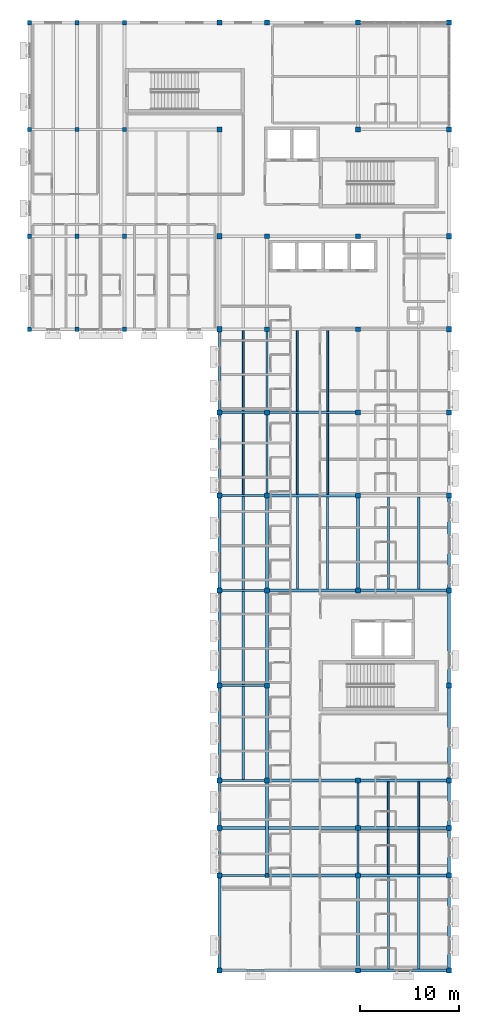
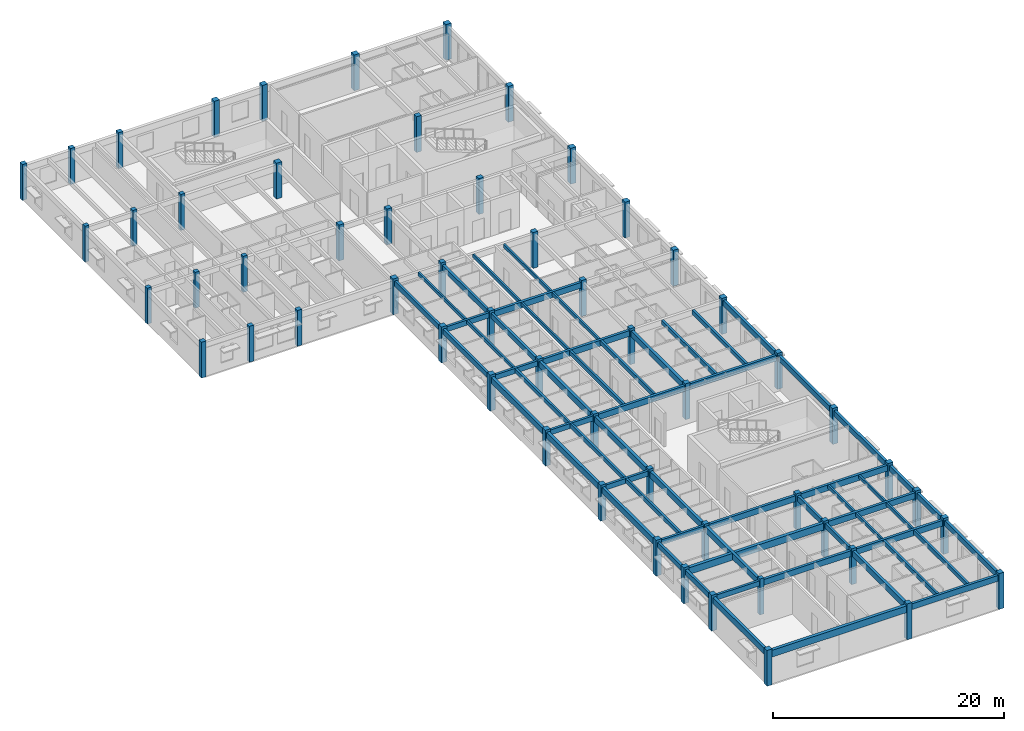
# One storey, part 1 of 20: 61 beams, 56 columns.
"""IFC4 building model written with IfcOpenShell, lengths in metres."""

from ifc_helpers import new_model, si_unit, direction, frame, origin, origin_2d, place, context, subcontext, project, spatial, rectangle, extrude, material, material_profile, profile_set, type_object, element, save


model = new_model("IFC4")

# Units and contexts
model_context = context("Model", 3, precision=1e-05, world=origin(), true_north=direction((0.0, 1.0)))
body_context = subcontext(model_context, "Body", "Model", "MODEL_VIEW")
ifc_project = project(units=[si_unit("LENGTHUNIT", "METRE"), si_unit("AREAUNIT", "SQUARE_METRE"), si_unit("VOLUMEUNIT", "CUBIC_METRE"), si_unit("PLANEANGLEUNIT", "RADIAN"), si_unit("MASSUNIT", "GRAM", prefix="KILO")], contexts=[model_context])

# Site, building, storey
site_placement = place(None, origin())
site = spatial("IfcSite", under=ifc_project, at=site_placement, CompositionType="ELEMENT")
building_placement = place(site_placement, origin())
building = spatial("IfcBuilding", under=site, at=building_placement, Name="Veldera Park Congress Hotel", CompositionType="ELEMENT")
storey_placement = place(building_placement, frame((0.0, 0.0, 27.60009765625)))
storey = spatial("IfcBuildingStorey", under=building, at=storey_placement, Name="L06", CompositionType="ELEMENT", Elevation=27.60009765625)

# Columns
ifc_material = material(Name="Glulam GL28h (NDS 24F-V4)", Category="wood")
ifc_material_profile_1 = material_profile(ifc_material, rectangle(XDim=0.419921875, YDim=0.419921875, at=origin_2d()), Name="GL28h 420x420")
ifc_profile_set_1 = profile_set([ifc_material_profile_1], Name="Glulam GL28h (NDS 24F-V4)")
column_type_1 = type_object("IfcColumnType", Name="COL-GL42", PredefinedType="COLUMN", material=ifc_profile_set_1)
for number, where, z_axis, x_axis, name in (
    (1, (41.60009765625, 36.39990234375, 0.0), (0.0, 0.0, 1.0), (1.0, 0.0, 0.0), "L06 Column COL-GL42 (41.6,36.4)"),
    (2, (41.60009765625, 47.199951171875, 0.0), (0.0, 0.0, 1.0), (1.0, 0.0, 0.0), "L06 Column COL-GL42 (41.6,47.2)"),
    (3, (46.39990234375, 36.39990234375, 0.0), (0.0, 0.0, 1.0), (1.0, 0.0, 0.0), "L06 Column COL-GL42 (46.4,36.4)"),
    (4, (46.39990234375, 47.199951171875, 0.0), (0.0, 0.0, 1.0), (1.0, 0.0, 0.0), "L06 Column COL-GL42 (46.4,47.2)"),
    (5, (51.199951171875, 36.39990234375, 0.0), (0.0, 0.0, 1.0), (1.0, 0.0, 0.0), "L06 Column COL-GL42 (51.2,36.4)"),
    (6, (51.199951171875, 47.199951171875, 0.0), (0.0, 0.0, 1.0), (1.0, 0.0, 0.0), "L06 Column COL-GL42 (51.2,47.2)"),
    (7, (65.60009765625, -28.199951171875, 0.0), (0.0, 0.0, 1.0), (1.0, 0.0, 0.0), "L06 Column COL-GL42 (65.6,-28.2)"),
):
    element("IfcColumn", number, at=place(storey_placement, frame(where, z_axis=z_axis, x_axis=x_axis)), inside=storey, type_object=column_type_1, Name=name, PredefinedType="COLUMN", context=body_context, shape_type="SweptSolid", body=[
        extrude(rectangle(XDim=0.419921875, YDim=0.419921875, at=origin_2d()), origin(), (0.0, 0.0, 1.0), 3.7998046875),
    ])
ifc_material_profile_2 = material_profile(ifc_material, rectangle(XDim=0.449951171875, YDim=0.449951171875, at=origin_2d()), Name="GL28h 450x450")
ifc_profile_set_2 = profile_set([ifc_material_profile_2], Name="Glulam GL28h (NDS 24F-V4)")
column_type_2 = type_object("IfcColumnType", Name="COL-GL42E", PredefinedType="COLUMN", material=ifc_profile_set_2)
for number, where, z_axis, x_axis, name in (
    (8, (41.60009765625, 27.0, 0.0), (0.0, 0.0, 1.0), (1.0, 0.0, 0.0), "L06 Column COL-GL42E (41.6,27.0)"),
    (9, (41.60009765625, 58.0, 0.0), (0.0, 0.0, 1.0), (1.0, 0.0, 0.0), "L06 Column COL-GL42E (41.6,58.0)"),
    (10, (46.39990234375, 27.0, 0.0), (0.0, 0.0, 1.0), (1.0, 0.0, 0.0), "L06 Column COL-GL42E (46.4,27.0)"),
    (11, (46.39990234375, 58.0, 0.0), (0.0, 0.0, 1.0), (1.0, 0.0, 0.0), "L06 Column COL-GL42E (46.4,58.0)"),
    (12, (51.199951171875, 27.0, 0.0), (0.0, 0.0, 1.0), (1.0, 0.0, 0.0), "L06 Column COL-GL42E (51.2,27.0)"),
    (13, (51.199951171875, 58.0, 0.0), (0.0, 0.0, 1.0), (1.0, 0.0, 0.0), "L06 Column COL-GL42E (51.2,58.0)"),
):
    element("IfcColumn", number, at=place(storey_placement, frame(where, z_axis=z_axis, x_axis=x_axis)), inside=storey, type_object=column_type_2, Name=name, PredefinedType="COLUMN", context=body_context, shape_type="SweptSolid", body=[
        extrude(rectangle(XDim=0.449951171875, YDim=0.449951171875, at=origin_2d()), origin(), (0.0, 0.0, 1.0), 3.7998046875),
    ])
ifc_material_profile_3 = material_profile(ifc_material, rectangle(XDim=0.47998046875, YDim=0.47998046875, at=origin_2d()), Name="GL28h 480x480")
ifc_profile_set_3 = profile_set([ifc_material_profile_3], Name="Glulam GL28h (NDS 24F-V4)")
column_type_3 = type_object("IfcColumnType", Name="COL-GL48", PredefinedType="COLUMN", material=ifc_profile_set_3)
for number, where, z_axis, x_axis, name in (
    (14, (74.800048828125, -37.800048828125, 0.0), (0.0, 0.0, 1.0), (1.0, 0.0, 0.0), "L06 Column COL-GL48 (74.8,-37.8)"),
    (15, (74.800048828125, -28.199951171875, 0.0), (0.0, 0.0, 1.0), (1.0, 0.0, 0.0), "L06 Column COL-GL48 (74.8,-28.2)"),
    (16, (74.800048828125, -23.39990234375, 0.0), (0.0, 0.0, 1.0), (1.0, 0.0, 0.0), "L06 Column COL-GL48 (74.8,-23.4)"),
    (17, (74.800048828125, -18.60009765625, 0.0), (0.0, 0.0, 1.0), (1.0, 0.0, 0.0), "L06 Column COL-GL48 (74.8,-18.6)"),
    (18, (74.800048828125, 0.60009765625, 0.0), (0.0, 0.0, 1.0), (1.0, 0.0, 0.0), "L06 Column COL-GL48 (74.8,0.6)"),
    (19, (74.800048828125, 10.199951171875, 0.0), (0.0, 0.0, 1.0), (1.0, 0.0, 0.0), "L06 Column COL-GL48 (74.8,10.2)"),
    (20, (74.800048828125, 18.60009765625, 0.0), (0.0, 0.0, 1.0), (1.0, 0.0, 0.0), "L06 Column COL-GL48 (74.8,18.6)"),
    (21, (74.800048828125, 27.0, 0.0), (0.0, 0.0, 1.0), (1.0, 0.0, 0.0), "L06 Column COL-GL48 (74.8,27.0)"),
    (22, (74.800048828125, 36.39990234375, 0.0), (0.0, 0.0, 1.0), (1.0, 0.0, 0.0), "L06 Column COL-GL48 (74.8,36.4)"),
    (23, (74.800048828125, 47.199951171875, 0.0), (0.0, 0.0, 1.0), (1.0, 0.0, 0.0), "L06 Column COL-GL48 (74.8,47.2)"),
    (24, (65.60009765625, -18.60009765625, 0.0), (0.0, 0.0, 1.0), (1.0, 0.0, 0.0), "L06 Column COL-GL48 (65.6,-18.6)"),
    (25, (65.60009765625, -9.0, 0.0), (0.0, 0.0, 1.0), (1.0, 0.0, 0.0), "L06 Column COL-GL48 (65.6,-9.0)"),
    (26, (65.60009765625, 0.60009765625, 0.0), (0.0, 0.0, 1.0), (1.0, 0.0, 0.0), "L06 Column COL-GL48 (65.6,0.6)"),
    (27, (65.60009765625, 10.199951171875, 0.0), (0.0, 0.0, 1.0), (1.0, 0.0, 0.0), "L06 Column COL-GL48 (65.6,10.2)"),
    (28, (65.60009765625, 18.60009765625, 0.0), (0.0, 0.0, 1.0), (1.0, 0.0, 0.0), "L06 Column COL-GL48 (65.6,18.6)"),
    (29, (65.60009765625, 27.0, 0.0), (0.0, 0.0, 1.0), (1.0, 0.0, 0.0), "L06 Column COL-GL48 (65.6,27.0)"),
    (30, (65.60009765625, 36.39990234375, 0.0), (0.0, 0.0, 1.0), (1.0, 0.0, 0.0), "L06 Column COL-GL48 (65.6,36.4)"),
):
    element("IfcColumn", number, at=place(storey_placement, frame(where, z_axis=z_axis, x_axis=x_axis)), inside=storey, type_object=column_type_3, Name=name, PredefinedType="COLUMN", context=body_context, shape_type="SweptSolid", body=[
        extrude(rectangle(XDim=0.47998046875, YDim=0.47998046875, at=origin_2d()), origin(), (0.0, 0.0, 1.0), 3.7998046875),
    ])
ifc_material_profile_4 = material_profile(ifc_material, rectangle(XDim=0.52001953125, YDim=0.52001953125, at=origin_2d()), Name="GL28h 520x520")
ifc_profile_set_4 = profile_set([ifc_material_profile_4], Name="Glulam GL28h (NDS 24F-V4)")
column_type_4 = type_object("IfcColumnType", Name="COL-GL48E", PredefinedType="COLUMN", material=ifc_profile_set_4)
for number, where, z_axis, x_axis, name in (
    (31, (60.800048828125, -37.800048828125, 0.0), (0.0, 0.0, 1.0), (1.0, 0.0, 0.0), "L06 Column COL-GL48E (60.8,-37.8)"),
    (32, (60.800048828125, -28.199951171875, 0.0), (0.0, 0.0, 1.0), (1.0, 0.0, 0.0), "L06 Column COL-GL48E (60.8,-28.2)"),
    (33, (60.800048828125, -23.39990234375, 0.0), (0.0, 0.0, 1.0), (1.0, 0.0, 0.0), "L06 Column COL-GL48E (60.8,-23.4)"),
    (34, (60.800048828125, -18.60009765625, 0.0), (0.0, 0.0, 1.0), (1.0, 0.0, 0.0), "L06 Column COL-GL48E (60.8,-18.6)"),
    (35, (60.800048828125, -9.0, 0.0), (0.0, 0.0, 1.0), (1.0, 0.0, 0.0), "L06 Column COL-GL48E (60.8,-9.0)"),
    (36, (60.800048828125, 0.60009765625, 0.0), (0.0, 0.0, 1.0), (1.0, 0.0, 0.0), "L06 Column COL-GL48E (60.8,0.6)"),
    (37, (60.800048828125, 10.199951171875, 0.0), (0.0, 0.0, 1.0), (1.0, 0.0, 0.0), "L06 Column COL-GL48E (60.8,10.2)"),
    (38, (60.800048828125, 18.60009765625, 0.0), (0.0, 0.0, 1.0), (1.0, 0.0, 0.0), "L06 Column COL-GL48E (60.8,18.6)"),
    (39, (60.800048828125, 27.0, 0.0), (0.0, 0.0, 1.0), (1.0, 0.0, 0.0), "L06 Column COL-GL48E (60.8,27.0)"),
    (40, (60.800048828125, 36.39990234375, 0.0), (0.0, 0.0, 1.0), (1.0, 0.0, 0.0), "L06 Column COL-GL48E (60.8,36.4)"),
    (41, (60.800048828125, 47.199951171875, 0.0), (0.0, 0.0, 1.0), (1.0, 0.0, 0.0), "L06 Column COL-GL48E (60.8,47.2)"),
    (42, (60.800048828125, 58.0, 0.0), (0.0, 0.0, 1.0), (1.0, 0.0, 0.0), "L06 Column COL-GL48E (60.8,58.0)"),
    (43, (74.800048828125, 58.0, 0.0), (0.0, 0.0, 1.0), (1.0, 0.0, 0.0), "L06 Column COL-GL48E (74.8,58.0)"),
    (44, (84.0, -37.800048828125, 0.0), (0.0, 0.0, 1.0), (1.0, 0.0, 0.0), "L06 Column COL-GL48E (84.0,-37.8)"),
    (45, (84.0, -28.199951171875, 0.0), (0.0, 0.0, 1.0), (1.0, 0.0, 0.0), "L06 Column COL-GL48E (84.0,-28.2)"),
    (46, (84.0, -23.39990234375, 0.0), (0.0, 0.0, 1.0), (1.0, 0.0, 0.0), "L06 Column COL-GL48E (84.0,-23.4)"),
    (47, (84.0, -18.60009765625, 0.0), (0.0, 0.0, 1.0), (1.0, 0.0, 0.0), "L06 Column COL-GL48E (84.0,-18.6)"),
    (48, (84.0, -9.0, 0.0), (0.0, 0.0, 1.0), (1.0, 0.0, 0.0), "L06 Column COL-GL48E (84.0,-9.0)"),
    (49, (84.0, 0.60009765625, 0.0), (0.0, 0.0, 1.0), (1.0, 0.0, 0.0), "L06 Column COL-GL48E (84.0,0.6)"),
    (50, (84.0, 10.199951171875, 0.0), (0.0, 0.0, 1.0), (1.0, 0.0, 0.0), "L06 Column COL-GL48E (84.0,10.2)"),
    (51, (84.0, 18.60009765625, 0.0), (0.0, 0.0, 1.0), (1.0, 0.0, 0.0), "L06 Column COL-GL48E (84.0,18.6)"),
    (52, (84.0, 27.0, 0.0), (0.0, 0.0, 1.0), (1.0, 0.0, 0.0), "L06 Column COL-GL48E (84.0,27.0)"),
    (53, (84.0, 36.39990234375, 0.0), (0.0, 0.0, 1.0), (1.0, 0.0, 0.0), "L06 Column COL-GL48E (84.0,36.4)"),
    (54, (84.0, 47.199951171875, 0.0), (0.0, 0.0, 1.0), (1.0, 0.0, 0.0), "L06 Column COL-GL48E (84.0,47.2)"),
    (55, (84.0, 58.0, 0.0), (0.0, 0.0, 1.0), (1.0, 0.0, 0.0), "L06 Column COL-GL48E (84.0,58.0)"),
    (56, (65.60009765625, 58.0, 0.0), (0.0, 0.0, 1.0), (1.0, 0.0, 0.0), "L06 Column COL-GL48E (65.6,58.0)"),
):
    element("IfcColumn", number, at=place(storey_placement, frame(where, z_axis=z_axis, x_axis=x_axis)), inside=storey, type_object=column_type_4, Name=name, PredefinedType="COLUMN", context=body_context, shape_type="SweptSolid", body=[
        extrude(rectangle(XDim=0.52001953125, YDim=0.52001953125, at=origin_2d()), origin(), (0.0, 0.0, 1.0), 3.7998046875),
    ])

# Beams
ifc_material_profile_5 = material_profile(ifc_material, rectangle(XDim=0.239990234375, YDim=0.5400390625, at=origin_2d()), Name="GL28h 240x540")
ifc_profile_set_5 = profile_set([ifc_material_profile_5], Name="Glulam GL28h (NDS 24F-V4)")
beam_type_1 = type_object("IfcBeamType", Name="BM-GL540", PredefinedType="BEAM", material=ifc_profile_set_5)
beam_1_placement = place(storey_placement, frame((61.06005859375, -28.199951171875, 3.284912109375), z_axis=(1.0, 0.0, 0.0), x_axis=(0.0, 1.0, 0.0)))
element("IfcBeam", 57, at=beam_1_placement, inside=storey, type_object=beam_type_1, Name="L06 Girder BM-GL540 1515", PredefinedType="BEAM", context=body_context, shape_type="SweptSolid", body=[
    extrude(rectangle(XDim=0.239990234375, YDim=0.5400390625, at=origin_2d()), origin(), (0.0, 0.0, 1.0), 4.329833984375),
])
for number, where, z_axis, x_axis, name in (
    (58, (61.06005859375, -18.60009765625, 3.284912109375), (1.0, 0.0, 0.0), (0.0, 1.0, 0.0), "L06 Girder BM-GL540 1520"),
    (59, (61.06005859375, -9.0, 3.284912109375), (1.0, 0.0, 0.0), (0.0, 1.0, 0.0), "L06 Girder BM-GL540 1523"),
    (60, (61.06005859375, 0.60009765625, 3.284912109375), (1.0, 0.0, 0.0), (0.0, 1.0, 0.0), "L06 Girder BM-GL540 1524"),
    (61, (61.06005859375, 10.199951171875, 3.284912109375), (1.0, 0.0, 0.0), (0.0, 1.0, 0.0), "L06 Girder BM-GL540 1527"),
    (62, (61.06005859375, 18.60009765625, 3.284912109375), (1.0, 0.0, 0.0), (0.0, 1.0, 0.0), "L06 Girder BM-GL540 1530"),
):
    element("IfcBeam", number, at=place(storey_placement, frame(where, z_axis=z_axis, x_axis=x_axis)), inside=storey, type_object=beam_type_1, Name=name, PredefinedType="BEAM", context=body_context, shape_type="SweptSolid", body=[
        extrude(rectangle(XDim=0.239990234375, YDim=0.5400390625, at=origin_2d()), origin(), (0.0, 0.0, 1.0), 4.300048828125),
    ])
beam_2_placement = place(storey_placement, frame((60.800048828125, -27.93994140625, 3.284912109375), z_axis=(0.0, 1.0, 0.0), x_axis=(-1.0, 0.0, 0.0)))
element("IfcBeam", 63, at=beam_2_placement, inside=storey, type_object=beam_type_1, Name="L06 Girder BM-GL540 1565", PredefinedType="BEAM", context=body_context, shape_type="SweptSolid", body=[
    extrude(rectangle(XDim=0.239990234375, YDim=0.5400390625, at=origin_2d()), origin(), (0.0, 0.0, 1.0), 4.280029296875),
])
beam_3_placement = place(storey_placement, frame((60.800048828125, -23.139892578125, 3.284912109375), z_axis=(0.0, 1.0, 0.0), x_axis=(-1.0, 0.0, 0.0)))
element("IfcBeam", 64, at=beam_3_placement, inside=storey, type_object=beam_type_1, Name="L06 Girder BM-GL540 1566", PredefinedType="BEAM", context=body_context, shape_type="SweptSolid", body=[
    extrude(rectangle(XDim=0.239990234375, YDim=0.5400390625, at=origin_2d()), origin(), (0.0, 0.0, 1.0), 4.27978515625),
])
beam_4_placement = place(storey_placement, frame((60.800048828125, 10.4599609375, 3.284912109375), z_axis=(0.0, 1.0, 0.0), x_axis=(-1.0, 0.0, 0.0)))
element("IfcBeam", 65, at=beam_4_placement, inside=storey, type_object=beam_type_1, Name="L06 Girder BM-GL540 1570", PredefinedType="BEAM", context=body_context, shape_type="SweptSolid", body=[
    extrude(rectangle(XDim=0.239990234375, YDim=0.5400390625, at=origin_2d()), origin(), (0.0, 0.0, 1.0), 7.880126953125),
])
beam_5_placement = place(storey_placement, frame((60.800048828125, 18.860107421875, 3.284912109375), z_axis=(0.0, 1.0, 0.0), x_axis=(-1.0, 0.0, 0.0)))
element("IfcBeam", 66, at=beam_5_placement, inside=storey, type_object=beam_type_1, Name="L06 Girder BM-GL540 1571", PredefinedType="BEAM", context=body_context, shape_type="SweptSolid", body=[
    extrude(rectangle(XDim=0.239990234375, YDim=0.5400390625, at=origin_2d()), origin(), (0.0, 0.0, 1.0), 7.8798828125),
])
beam_6_placement = place(storey_placement, frame((65.60009765625, 10.43994140625, 3.284912109375), z_axis=(0.0, 1.0, 0.0), x_axis=(-1.0, 0.0, 0.0)))
element("IfcBeam", 67, at=beam_6_placement, inside=storey, type_object=beam_type_1, Name="L06 Girder BM-GL540 1578", PredefinedType="BEAM", context=body_context, shape_type="SweptSolid", body=[
    extrude(rectangle(XDim=0.239990234375, YDim=0.5400390625, at=origin_2d()), origin(), (0.0, 0.0, 1.0), 7.920166015625),
])
beam_7_placement = place(storey_placement, frame((65.60009765625, 18.840087890625, 3.284912109375), z_axis=(0.0, 1.0, 0.0), x_axis=(-1.0, 0.0, 0.0)))
element("IfcBeam", 68, at=beam_7_placement, inside=storey, type_object=beam_type_1, Name="L06 Girder BM-GL540 1579", PredefinedType="BEAM", context=body_context, shape_type="SweptSolid", body=[
    extrude(rectangle(XDim=0.239990234375, YDim=0.5400390625, at=origin_2d()), origin(), (0.0, 0.0, 1.0), 7.919921875),
])
beam_8_placement = place(storey_placement, frame((74.800048828125, -27.9599609375, 3.284912109375), z_axis=(0.0, 1.0, 0.0), x_axis=(-1.0, 0.0, 0.0)))
element("IfcBeam", 69, at=beam_8_placement, inside=storey, type_object=beam_type_1, Name="L06 Girder BM-GL540 1582", PredefinedType="BEAM", context=body_context, shape_type="SweptSolid", body=[
    extrude(rectangle(XDim=0.239990234375, YDim=0.5400390625, at=origin_2d()), origin(), (0.0, 0.0, 1.0), 4.320068359375),
])
beam_9_placement = place(storey_placement, frame((74.800048828125, -23.159912109375, 3.284912109375), z_axis=(0.0, 1.0, 0.0), x_axis=(-1.0, 0.0, 0.0)))
element("IfcBeam", 70, at=beam_9_placement, inside=storey, type_object=beam_type_1, Name="L06 Girder BM-GL540 1583", PredefinedType="BEAM", context=body_context, shape_type="SweptSolid", body=[
    extrude(rectangle(XDim=0.239990234375, YDim=0.5400390625, at=origin_2d()), origin(), (0.0, 0.0, 1.0), 4.31982421875),
])
ifc_material_profile_6 = material_profile(ifc_material, rectangle(XDim=0.264892578125, YDim=0.580078125, at=origin_2d()), Name="GL28h 265x580")
ifc_profile_set_6 = profile_set([ifc_material_profile_6], Name="Glulam GL28h (NDS 24F-V4)")
beam_type_2 = type_object("IfcBeamType", Name="BM-GL540E", PredefinedType="BEAM", material=ifc_profile_set_6)
beam_10_placement = place(storey_placement, frame((84.0, -37.5400390625, 3.264892578125), z_axis=(0.0, 1.0, 0.0), x_axis=(-1.0, 0.0, 0.0)))
element("IfcBeam", 71, at=beam_10_placement, inside=storey, type_object=beam_type_2, Name="L06 Girder BM-GL540E 1588", PredefinedType="BEAM", context=body_context, shape_type="SweptSolid", body=[
    extrude(rectangle(XDim=0.264892578125, YDim=0.580078125, at=origin_2d()), origin(), (0.0, 0.0, 1.0), 9.080078125),
])
beam_11_placement = place(storey_placement, frame((84.0, -27.93994140625, 3.264892578125), z_axis=(0.0, 1.0, 0.0), x_axis=(-1.0, 0.0, 0.0)))
element("IfcBeam", 72, at=beam_11_placement, inside=storey, type_object=beam_type_2, Name="L06 Girder BM-GL540E 1589", PredefinedType="BEAM", context=body_context, shape_type="SweptSolid", body=[
    extrude(rectangle(XDim=0.264892578125, YDim=0.580078125, at=origin_2d()), origin(), (0.0, 0.0, 1.0), 4.280029296875),
])
beam_12_placement = place(storey_placement, frame((84.0, -23.139892578125, 3.264892578125), z_axis=(0.0, 1.0, 0.0), x_axis=(-1.0, 0.0, 0.0)))
element("IfcBeam", 73, at=beam_12_placement, inside=storey, type_object=beam_type_2, Name="L06 Girder BM-GL540E 1590", PredefinedType="BEAM", context=body_context, shape_type="SweptSolid", body=[
    extrude(rectangle(XDim=0.264892578125, YDim=0.580078125, at=origin_2d()), origin(), (0.0, 0.0, 1.0), 4.27978515625),
])
for number, where, z_axis, x_axis, name in (
    (74, (84.0, -18.340087890625, 3.264892578125), (0.0, 1.0, 0.0), (-1.0, 0.0, 0.0), "L06 Girder BM-GL540E 1591"),
    (75, (84.0, -8.739990234375, 3.264892578125), (0.0, 1.0, 0.0), (-1.0, 0.0, 0.0), "L06 Girder BM-GL540E 1592"),
):
    element("IfcBeam", number, at=place(storey_placement, frame(where, z_axis=z_axis, x_axis=x_axis)), inside=storey, type_object=beam_type_2, Name=name, PredefinedType="BEAM", context=body_context, shape_type="SweptSolid", body=[
        extrude(rectangle(XDim=0.264892578125, YDim=0.580078125, at=origin_2d()), origin(), (0.0, 0.0, 1.0), 9.080078125),
    ])
beam_13_placement = place(storey_placement, frame((84.0, 0.860107421875, 3.264892578125), z_axis=(0.0, 1.0, 0.0), x_axis=(-1.0, 0.0, 0.0)))
element("IfcBeam", 76, at=beam_13_placement, inside=storey, type_object=beam_type_2, Name="L06 Girder BM-GL540E 1593", PredefinedType="BEAM", context=body_context, shape_type="SweptSolid", body=[
    extrude(rectangle(XDim=0.264892578125, YDim=0.580078125, at=origin_2d()), origin(), (0.0, 0.0, 1.0), 9.079833984375),
])
ifc_material_profile_7 = material_profile(ifc_material, rectangle(XDim=0.264892578125, YDim=0.6201171875, at=origin_2d()), Name="GL28h 265x620")
ifc_profile_set_7 = profile_set([ifc_material_profile_7], Name="Glulam GL28h (NDS 24F-V4)")
beam_type_3 = type_object("IfcBeamType", Name="BM-GL620", PredefinedType="BEAM", material=ifc_profile_set_7)
beam_14_placement = place(storey_placement, frame((75.0400390625, -37.800048828125, 3.244873046875), z_axis=(1.0, 0.0, 0.0), x_axis=(0.0, 1.0, 0.0)))
element("IfcBeam", 77, at=beam_14_placement, inside=storey, type_object=beam_type_3, Name="L06 Girder BM-GL620 1514", PredefinedType="BEAM", context=body_context, shape_type="SweptSolid", body=[
    extrude(rectangle(XDim=0.264892578125, YDim=0.6201171875, at=origin_2d()), origin(), (0.0, 0.0, 1.0), 8.699951171875),
])
beam_15_placement = place(storey_placement, frame((65.81005859375, -28.199951171875, 3.244873046875), z_axis=(1.0, 0.0, 0.0), x_axis=(0.0, 1.0, 0.0)))
element("IfcBeam", 78, at=beam_15_placement, inside=storey, type_object=beam_type_3, Name="L06 Girder BM-GL620 1516", PredefinedType="BEAM", context=body_context, shape_type="SweptSolid", body=[
    extrude(rectangle(XDim=0.264892578125, YDim=0.6201171875, at=origin_2d()), origin(), (0.0, 0.0, 1.0), 8.75),
])
for number, where, z_axis, x_axis, name in (
    (79, (75.0400390625, -28.199951171875, 3.244873046875), (1.0, 0.0, 0.0), (0.0, 1.0, 0.0), "L06 Girder BM-GL620 1517"),
    (80, (75.0400390625, -23.39990234375, 3.244873046875), (1.0, 0.0, 0.0), (0.0, 1.0, 0.0), "L06 Girder BM-GL620 1519"),
):
    element("IfcBeam", number, at=place(storey_placement, frame(where, z_axis=z_axis, x_axis=x_axis)), inside=storey, type_object=beam_type_3, Name=name, PredefinedType="BEAM", context=body_context, shape_type="SweptSolid", body=[
        extrude(rectangle(XDim=0.264892578125, YDim=0.6201171875, at=origin_2d()), origin(), (0.0, 0.0, 1.0), 8.699951171875),
    ])
beam_16_placement = place(storey_placement, frame((65.840087890625, -18.60009765625, 3.244873046875), z_axis=(1.0, 0.0, 0.0), x_axis=(0.0, 1.0, 0.0)))
element("IfcBeam", 81, at=beam_16_placement, inside=storey, type_object=beam_type_3, Name="L06 Girder BM-GL620 1521", PredefinedType="BEAM", context=body_context, shape_type="SweptSolid", body=[
    extrude(rectangle(XDim=0.264892578125, YDim=0.6201171875, at=origin_2d()), origin(), (0.0, 0.0, 1.0), 8.719970703125),
])
beam_17_placement = place(storey_placement, frame((75.0400390625, -18.60009765625, 3.244873046875), z_axis=(1.0, 0.0, 0.0), x_axis=(0.0, 1.0, 0.0)))
element("IfcBeam", 82, at=beam_17_placement, inside=storey, type_object=beam_type_3, Name="L06 Girder BM-GL620 1522", PredefinedType="BEAM", context=body_context, shape_type="SweptSolid", body=[
    extrude(rectangle(XDim=0.264892578125, YDim=0.6201171875, at=origin_2d()), origin(), (0.0, 0.0, 1.0), 8.699951171875),
])
beam_18_placement = place(storey_placement, frame((65.840087890625, 0.60009765625, 3.244873046875), z_axis=(1.0, 0.0, 0.0), x_axis=(0.0, 1.0, 0.0)))
element("IfcBeam", 83, at=beam_18_placement, inside=storey, type_object=beam_type_3, Name="L06 Girder BM-GL620 1525", PredefinedType="BEAM", context=body_context, shape_type="SweptSolid", body=[
    extrude(rectangle(XDim=0.264892578125, YDim=0.6201171875, at=origin_2d()), origin(), (0.0, 0.0, 1.0), 8.719970703125),
])
beam_19_placement = place(storey_placement, frame((75.0400390625, 0.60009765625, 3.244873046875), z_axis=(1.0, 0.0, 0.0), x_axis=(0.0, 1.0, 0.0)))
element("IfcBeam", 84, at=beam_19_placement, inside=storey, type_object=beam_type_3, Name="L06 Girder BM-GL620 1526", PredefinedType="BEAM", context=body_context, shape_type="SweptSolid", body=[
    extrude(rectangle(XDim=0.264892578125, YDim=0.6201171875, at=origin_2d()), origin(), (0.0, 0.0, 1.0), 8.699951171875),
])
for number, where, z_axis, x_axis, name in (
    (85, (65.840087890625, 10.199951171875, 3.244873046875), (1.0, 0.0, 0.0), (0.0, 1.0, 0.0), "L06 Girder BM-GL620 1528"),
    (86, (65.840087890625, 18.60009765625, 3.244873046875), (1.0, 0.0, 0.0), (0.0, 1.0, 0.0), "L06 Girder BM-GL620 1531"),
):
    element("IfcBeam", number, at=place(storey_placement, frame(where, z_axis=z_axis, x_axis=x_axis)), inside=storey, type_object=beam_type_3, Name=name, PredefinedType="BEAM", context=body_context, shape_type="SweptSolid", body=[
        extrude(rectangle(XDim=0.264892578125, YDim=0.6201171875, at=origin_2d()), origin(), (0.0, 0.0, 1.0), 8.719970703125),
    ])
ifc_material_profile_8 = material_profile(ifc_material, rectangle(XDim=0.280029296875, YDim=0.639892578125, at=origin_2d()), Name="GL28h 280x640")
ifc_profile_set_8 = profile_set([ifc_material_profile_8], Name="Glulam GL28h (NDS 24F-V4)")
beam_type_4 = type_object("IfcBeamType", Name="BM-GL640", PredefinedType="BEAM", material=ifc_profile_set_8)
for number, where, z_axis, x_axis, name in (
    (87, (60.800048828125, -37.5400390625, 3.23486328125), (0.0, 1.0, 0.0), (-1.0, 0.0, 0.0), "L06 Girder BM-GL640 1564"),
    (88, (60.800048828125, -18.340087890625, 3.23486328125), (0.0, 1.0, 0.0), (-1.0, 0.0, 0.0), "L06 Girder BM-GL640 1567"),
    (89, (60.800048828125, -8.739990234375, 3.23486328125), (0.0, 1.0, 0.0), (-1.0, 0.0, 0.0), "L06 Girder BM-GL640 1568"),
):
    element("IfcBeam", number, at=place(storey_placement, frame(where, z_axis=z_axis, x_axis=x_axis)), inside=storey, type_object=beam_type_4, Name=name, PredefinedType="BEAM", context=body_context, shape_type="SweptSolid", body=[
        extrude(rectangle(XDim=0.280029296875, YDim=0.639892578125, at=origin_2d()), origin(), (0.0, 0.0, 1.0), 9.080078125),
    ])
beam_20_placement = place(storey_placement, frame((60.800048828125, 0.860107421875, 3.23486328125), z_axis=(0.0, 1.0, 0.0), x_axis=(-1.0, 0.0, 0.0)))
element("IfcBeam", 90, at=beam_20_placement, inside=storey, type_object=beam_type_4, Name="L06 Girder BM-GL640 1569", PredefinedType="BEAM", context=body_context, shape_type="SweptSolid", body=[
    extrude(rectangle(XDim=0.280029296875, YDim=0.639892578125, at=origin_2d()), origin(), (0.0, 0.0, 1.0), 9.079833984375),
])
beam_21_placement = place(storey_placement, frame((65.60009765625, -27.989990234375, 3.23486328125), z_axis=(0.0, 1.0, 0.0), x_axis=(-1.0, 0.0, 0.0)))
element("IfcBeam", 91, at=beam_21_placement, inside=storey, type_object=beam_type_4, Name="L06 Girder BM-GL640 1574", PredefinedType="BEAM", context=body_context, shape_type="SweptSolid", body=[
    extrude(rectangle(XDim=0.280029296875, YDim=0.639892578125, at=origin_2d()), origin(), (0.0, 0.0, 1.0), 9.14990234375),
])
for number, where, z_axis, x_axis, name in (
    (92, (65.60009765625, -18.360107421875, 3.23486328125), (0.0, 1.0, 0.0), (-1.0, 0.0, 0.0), "L06 Girder BM-GL640 1575"),
    (93, (65.60009765625, -8.760009765625, 3.23486328125), (0.0, 1.0, 0.0), (-1.0, 0.0, 0.0), "L06 Girder BM-GL640 1576"),
):
    element("IfcBeam", number, at=place(storey_placement, frame(where, z_axis=z_axis, x_axis=x_axis)), inside=storey, type_object=beam_type_4, Name=name, PredefinedType="BEAM", context=body_context, shape_type="SweptSolid", body=[
        extrude(rectangle(XDim=0.280029296875, YDim=0.639892578125, at=origin_2d()), origin(), (0.0, 0.0, 1.0), 9.1201171875),
    ])
beam_22_placement = place(storey_placement, frame((65.60009765625, 0.840087890625, 3.23486328125), z_axis=(0.0, 1.0, 0.0), x_axis=(-1.0, 0.0, 0.0)))
element("IfcBeam", 94, at=beam_22_placement, inside=storey, type_object=beam_type_4, Name="L06 Girder BM-GL640 1577", PredefinedType="BEAM", context=body_context, shape_type="SweptSolid", body=[
    extrude(rectangle(XDim=0.280029296875, YDim=0.639892578125, at=origin_2d()), origin(), (0.0, 0.0, 1.0), 9.119873046875),
])
beam_23_placement = place(storey_placement, frame((74.800048828125, -37.56005859375, 3.23486328125), z_axis=(0.0, 1.0, 0.0), x_axis=(-1.0, 0.0, 0.0)))
element("IfcBeam", 95, at=beam_23_placement, inside=storey, type_object=beam_type_4, Name="L06 Girder BM-GL640 1581", PredefinedType="BEAM", context=body_context, shape_type="SweptSolid", body=[
    extrude(rectangle(XDim=0.280029296875, YDim=0.639892578125, at=origin_2d()), origin(), (0.0, 0.0, 1.0), 9.1201171875),
])
beam_24_placement = place(storey_placement, frame((74.800048828125, 0.840087890625, 3.23486328125), z_axis=(0.0, 1.0, 0.0), x_axis=(-1.0, 0.0, 0.0)))
element("IfcBeam", 96, at=beam_24_placement, inside=storey, type_object=beam_type_4, Name="L06 Girder BM-GL640 1584", PredefinedType="BEAM", context=body_context, shape_type="SweptSolid", body=[
    extrude(rectangle(XDim=0.280029296875, YDim=0.639892578125, at=origin_2d()), origin(), (0.0, 0.0, 1.0), 9.119873046875),
])
ifc_material_profile_9 = material_profile(ifc_material, rectangle(XDim=0.31494140625, YDim=0.719970703125, at=origin_2d()), Name="GL28h 315x720")
ifc_profile_set_9 = profile_set([ifc_material_profile_9], Name="Glulam GL28h (NDS 24F-V4)")
beam_type_5 = type_object("IfcBeamType", Name="BM-GL720", PredefinedType="BEAM", material=ifc_profile_set_9)
for number, where, z_axis, x_axis, name in (
    (97, (61.06005859375, -37.800048828125, 3.19482421875), (1.0, 0.0, 0.0), (0.0, 1.0, 0.0), "L06 Girder BM-GL720 1513"),
    (98, (61.06005859375, -23.39990234375, 3.19482421875), (1.0, 0.0, 0.0), (0.0, 1.0, 0.0), "L06 Girder BM-GL720 1518"),
):
    element("IfcBeam", number, at=place(storey_placement, frame(where, z_axis=z_axis, x_axis=x_axis)), inside=storey, type_object=beam_type_5, Name=name, PredefinedType="BEAM", context=body_context, shape_type="SweptSolid", body=[
        extrude(rectangle(XDim=0.31494140625, YDim=0.719970703125, at=origin_2d()), origin(), (0.0, 0.0, 1.0), 13.5),
    ])
ifc_material_profile_10 = material_profile(ifc_material, rectangle(XDim=0.179931640625, YDim=0.360107421875, at=origin_2d()), Name="GL28h 180x360")
ifc_profile_set_10 = profile_set([ifc_material_profile_10], Name="Glulam GL28h (NDS 24F-V4)")
beam_type_6 = type_object("IfcBeamType", Name="JST-GL360", PredefinedType="JOIST", material=ifc_profile_set_10)
for number, where, z_axis, x_axis, name in (
    (99, (77.86669921875, -28.0673828125, 3.375), (0.0, 1.0, 0.0), (-1.0, 0.0, 0.0), "L06 Floor Joist JST-GL360 1601"),
    (100, (80.933349609375, -28.0673828125, 3.375), (0.0, 1.0, 0.0), (-1.0, 0.0, 0.0), "L06 Floor Joist JST-GL360 1602"),
):
    element("IfcBeam", number, at=place(storey_placement, frame(where, z_axis=z_axis, x_axis=x_axis)), inside=storey, type_object=beam_type_6, Name=name, PredefinedType="JOIST", context=body_context, shape_type="SweptSolid", body=[
        extrude(rectangle(XDim=0.179931640625, YDim=0.360107421875, at=origin_2d()), origin(), (0.0, 0.0, 1.0), 4.534912109375),
    ])
for number, where, z_axis, x_axis, name in (
    (101, (77.86669921875, -23.267578125, 3.375), (0.0, 1.0, 0.0), (-1.0, 0.0, 0.0), "L06 Floor Joist JST-GL360 1603"),
    (102, (80.933349609375, -23.267578125, 3.375), (0.0, 1.0, 0.0), (-1.0, 0.0, 0.0), "L06 Floor Joist JST-GL360 1604"),
):
    element("IfcBeam", number, at=place(storey_placement, frame(where, z_axis=z_axis, x_axis=x_axis)), inside=storey, type_object=beam_type_6, Name=name, PredefinedType="JOIST", context=body_context, shape_type="SweptSolid", body=[
        extrude(rectangle(XDim=0.179931640625, YDim=0.360107421875, at=origin_2d()), origin(), (0.0, 0.0, 1.0), 4.53515625),
    ])
beam_25_placement = place(storey_placement, frame((63.199951171875, 10.320068359375, 3.375), z_axis=(0.0, 1.0, 0.0), x_axis=(-1.0, 0.0, 0.0)))
element("IfcBeam", 103, at=beam_25_placement, inside=storey, type_object=beam_type_6, Name="L06 Floor Joist JST-GL360 1612", PredefinedType="JOIST", context=body_context, shape_type="SweptSolid", body=[
    extrude(rectangle(XDim=0.179931640625, YDim=0.360107421875, at=origin_2d()), origin(), (0.0, 0.0, 1.0), 8.159912109375),
])
for number, where, z_axis, x_axis, name in (
    (104, (68.666748046875, 10.33251953125, 3.375), (0.0, 1.0, 0.0), (-1.0, 0.0, 0.0), "L06 Floor Joist JST-GL360 1613"),
    (105, (71.7333984375, 10.33251953125, 3.375), (0.0, 1.0, 0.0), (-1.0, 0.0, 0.0), "L06 Floor Joist JST-GL360 1614"),
):
    element("IfcBeam", number, at=place(storey_placement, frame(where, z_axis=z_axis, x_axis=x_axis)), inside=storey, type_object=beam_type_6, Name=name, PredefinedType="JOIST", context=body_context, shape_type="SweptSolid", body=[
        extrude(rectangle(XDim=0.179931640625, YDim=0.360107421875, at=origin_2d()), origin(), (0.0, 0.0, 1.0), 8.135009765625),
    ])
beam_26_placement = place(storey_placement, frame((63.199951171875, 18.719970703125, 3.375), z_axis=(0.0, 1.0, 0.0), x_axis=(-1.0, 0.0, 0.0)))
element("IfcBeam", 106, at=beam_26_placement, inside=storey, type_object=beam_type_6, Name="L06 Floor Joist JST-GL360 1617", PredefinedType="JOIST", context=body_context, shape_type="SweptSolid", body=[
    extrude(rectangle(XDim=0.179931640625, YDim=0.360107421875, at=origin_2d()), origin(), (0.0, 0.0, 1.0), 8.159912109375),
])
for number, where, z_axis, x_axis, name in (
    (107, (68.666748046875, 18.732421875, 3.375), (0.0, 1.0, 0.0), (-1.0, 0.0, 0.0), "L06 Floor Joist JST-GL360 1618"),
    (108, (71.7333984375, 18.732421875, 3.375), (0.0, 1.0, 0.0), (-1.0, 0.0, 0.0), "L06 Floor Joist JST-GL360 1619"),
):
    element("IfcBeam", number, at=place(storey_placement, frame(where, z_axis=z_axis, x_axis=x_axis)), inside=storey, type_object=beam_type_6, Name=name, PredefinedType="JOIST", context=body_context, shape_type="SweptSolid", body=[
        extrude(rectangle(XDim=0.179931640625, YDim=0.360107421875, at=origin_2d()), origin(), (0.0, 0.0, 1.0), 8.135009765625),
    ])
ifc_material_profile_11 = material_profile(ifc_material, rectangle(XDim=0.215087890625, YDim=0.449951171875, at=origin_2d()), Name="GL28h 215x450")
ifc_profile_set_11 = profile_set([ifc_material_profile_11], Name="Glulam GL28h (NDS 24F-V4)")
beam_type_7 = type_object("IfcBeamType", Name="JST-GL450", PredefinedType="JOIST", material=ifc_profile_set_11)
for number, where, z_axis, x_axis, name in (
    (109, (77.86669921875, -37.66748046875, 3.329833984375), (0.0, 1.0, 0.0), (-1.0, 0.0, 0.0), "L06 Floor Joist JST-GL450 1599"),
    (110, (80.933349609375, -37.66748046875, 3.329833984375), (0.0, 1.0, 0.0), (-1.0, 0.0, 0.0), "L06 Floor Joist JST-GL450 1600"),
):
    element("IfcBeam", number, at=place(storey_placement, frame(where, z_axis=z_axis, x_axis=x_axis)), inside=storey, type_object=beam_type_7, Name=name, PredefinedType="JOIST", context=body_context, shape_type="SweptSolid", body=[
        extrude(rectangle(XDim=0.215087890625, YDim=0.449951171875, at=origin_2d()), origin(), (0.0, 0.0, 1.0), 9.3349609375),
    ])
for number, where, z_axis, x_axis, name in (
    (111, (63.199951171875, -18.47998046875, 3.329833984375), (0.0, 1.0, 0.0), (-1.0, 0.0, 0.0), "L06 Floor Joist JST-GL450 1605"),
    (112, (63.199951171875, -8.8798828125, 3.329833984375), (0.0, 1.0, 0.0), (-1.0, 0.0, 0.0), "L06 Floor Joist JST-GL450 1606"),
):
    element("IfcBeam", number, at=place(storey_placement, frame(where, z_axis=z_axis, x_axis=x_axis)), inside=storey, type_object=beam_type_7, Name=name, PredefinedType="JOIST", context=body_context, shape_type="SweptSolid", body=[
        extrude(rectangle(XDim=0.215087890625, YDim=0.449951171875, at=origin_2d()), origin(), (0.0, 0.0, 1.0), 9.35986328125),
    ])
beam_27_placement = place(storey_placement, frame((63.199951171875, 0.719970703125, 3.329833984375), z_axis=(0.0, 1.0, 0.0), x_axis=(-1.0, 0.0, 0.0)))
element("IfcBeam", 113, at=beam_27_placement, inside=storey, type_object=beam_type_7, Name="L06 Floor Joist JST-GL450 1607", PredefinedType="JOIST", context=body_context, shape_type="SweptSolid", body=[
    extrude(rectangle(XDim=0.215087890625, YDim=0.449951171875, at=origin_2d()), origin(), (0.0, 0.0, 1.0), 9.360107421875),
])
for number, where, z_axis, x_axis, name in (
    (114, (68.666748046875, 0.732421875, 3.329833984375), (0.0, 1.0, 0.0), (-1.0, 0.0, 0.0), "L06 Floor Joist JST-GL450 1608"),
    (115, (71.7333984375, 0.732421875, 3.329833984375), (0.0, 1.0, 0.0), (-1.0, 0.0, 0.0), "L06 Floor Joist JST-GL450 1609"),
    (116, (77.86669921875, 0.732421875, 3.329833984375), (0.0, 1.0, 0.0), (-1.0, 0.0, 0.0), "L06 Floor Joist JST-GL450 1610"),
    (117, (80.933349609375, 0.732421875, 3.329833984375), (0.0, 1.0, 0.0), (-1.0, 0.0, 0.0), "L06 Floor Joist JST-GL450 1611"),
):
    element("IfcBeam", number, at=place(storey_placement, frame(where, z_axis=z_axis, x_axis=x_axis)), inside=storey, type_object=beam_type_7, Name=name, PredefinedType="JOIST", context=body_context, shape_type="SweptSolid", body=[
        extrude(rectangle(XDim=0.215087890625, YDim=0.449951171875, at=origin_2d()), origin(), (0.0, 0.0, 1.0), 9.3349609375),
    ])

save(model, "model.ifc")
